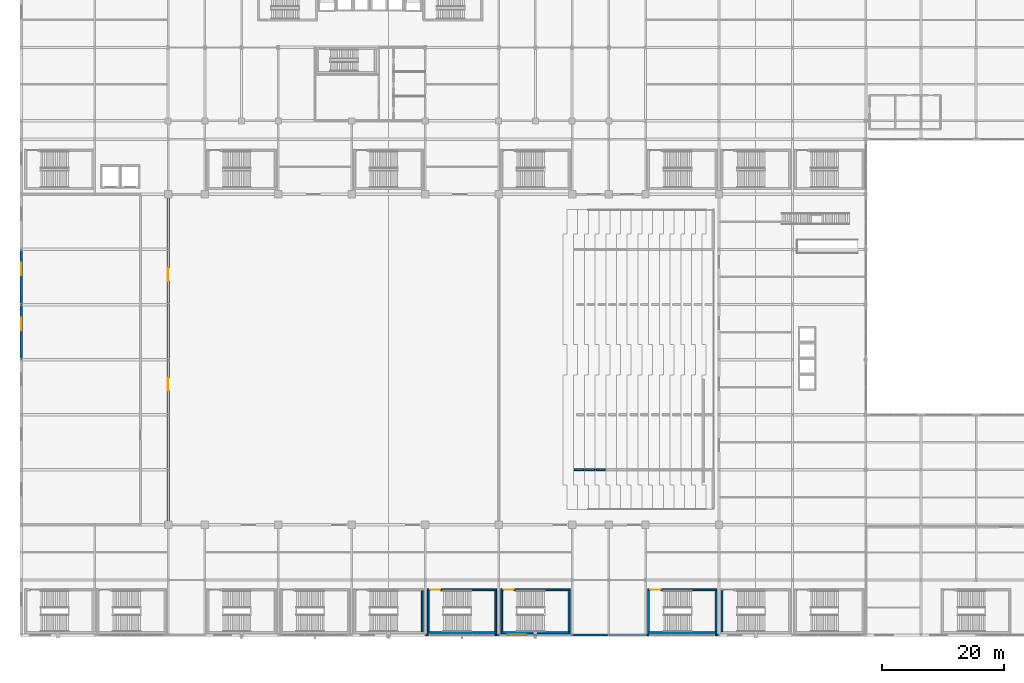
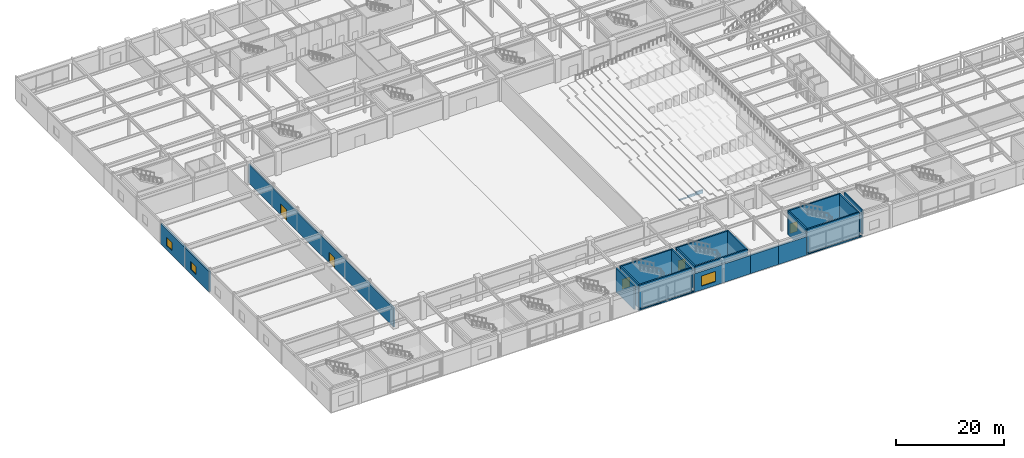
# One storey, part 80 of 100: 25 walls, 5 doors, 3 windows, 8 openings.
"""IFC4 building model written with IfcOpenShell, lengths in metres."""

import ifcopenshell
import ifcopenshell.guid

model = None  # the IFC model being written
_history = None  # IfcOwnerHistory: only IFC2X3 demands one
_inside = {}  # id of a spatial element -> (the spatial element, [elements in it])
_under = {}  # id of a project, library or spatial element -> (it, [spatial elements below it])
_declared = {}  # id of a project -> (the project, [libraries it declares])
_typed = {}  # id of a type object -> (the type object, [elements of that type])
_made_of = {}  # id of a material, layer set ... -> (it, [elements and type objects made of it])


def new_model(schema):
    """Start an empty IFC model of exactly this schema.

    Asked for "IFC4X3", IfcOpenShell would pick the latest addendum, in which some entities
    have other attributes; the version numbers below select the first issue.
    IFC2X3 requires an IfcOwnerHistory on every rooted entity: one is made here for all.
    """
    global model, _history
    if schema == "IFC4X3":
        model = ifcopenshell.file(schema_version=(4, 3, 0, 0))
    else:
        model = ifcopenshell.file(schema=schema)
    _inside.clear()
    _under.clear()
    _declared.clear()
    _typed.clear()
    _made_of.clear()
    _history = None
    if model.schema == "IFC2X3":
        org = make("IfcOrganization", Name="unknown")
        user = make(
            "IfcPersonAndOrganization",
            ThePerson=make("IfcPerson", FamilyName="unknown"),
            TheOrganization=org,
        )
        app = make(
            "IfcApplication",
            ApplicationDeveloper=org,
            Version="unknown",
            ApplicationFullName="unknown",
            ApplicationIdentifier="unknown",
        )
        _history = make(
            "IfcOwnerHistory",
            OwningUser=user,
            OwningApplication=app,
            ChangeAction="ADDED",
            CreationDate=0,
        )
    return model


def make(cls, **values):
    """One entity of the class cls with the attributes given. An attribute that is None is left unset."""
    return model.create_entity(
        cls, **{name: value for name, value in values.items() if value is not None}
    )


def rooted(cls, **values):
    """An entity with a GlobalId (a new one), such as an element, a storey or a relation."""
    return make(cls, GlobalId=ifcopenshell.guid.new(), OwnerHistory=_history, **values)


def si_unit(unit_type, name, prefix=None):
    """IfcSIUnit, for example si_unit("LENGTHUNIT", "METRE", prefix="MILLI")."""
    return make("IfcSIUnit", UnitType=unit_type, Prefix=prefix, Name=name)


def assignment(units):
    """IfcUnitAssignment: the units of a project."""
    return None if units is None else make("IfcUnitAssignment", Units=units)


def point(xyz):
    """IfcCartesianPoint."""
    return None if xyz is None else make("IfcCartesianPoint", Coordinates=xyz)


def direction(xyz):
    """IfcDirection."""
    return None if xyz is None else make("IfcDirection", DirectionRatios=xyz)


def frame(location, z_axis=None, x_axis=None):
    """IfcAxis2Placement3D, a coordinate frame: its origin and axes. An axis left out is left unset."""
    return make(
        "IfcAxis2Placement3D",
        Location=point(location),
        Axis=direction(z_axis),
        RefDirection=direction(x_axis),
    )


def frame_2d(location, x_axis=None):
    """IfcAxis2Placement2D, a coordinate frame in the plane: its origin and x axis."""
    return make(
        "IfcAxis2Placement2D", Location=point(location), RefDirection=direction(x_axis)
    )


def origin():
    """The frame at (0, 0, 0) with its axes left unset."""
    return frame((0.0, 0.0, 0.0))


def place(relative_to, where):
    """IfcLocalPlacement: puts the frame where relative to a parent placement (None: the world)."""
    return make(
        "IfcLocalPlacement", PlacementRelTo=relative_to, RelativePlacement=where
    )


def context(
    kind, dimensions, precision=None, world=None, true_north=None, identifier=None
):
    """IfcGeometricRepresentationContext, for example the 3D "Model" context."""
    return make(
        "IfcGeometricRepresentationContext",
        ContextIdentifier=identifier,
        ContextType=kind,
        CoordinateSpaceDimension=dimensions,
        Precision=precision,
        WorldCoordinateSystem=world,
        TrueNorth=true_north,
    )


def subcontext(parent, identifier, kind, view, scale=None):
    """IfcGeometricRepresentationSubContext, for example "Body" below "Model"."""
    return make(
        "IfcGeometricRepresentationSubContext",
        ContextIdentifier=identifier,
        ContextType=kind,
        ParentContext=parent,
        TargetScale=scale,
        TargetView=view,
    )


def project(units=None, contexts=None):
    """IfcProject with its units and contexts."""
    return rooted(
        "IfcProject",
        Name="project",
        RepresentationContexts=contexts,
        UnitsInContext=assignment(units),
    )


def spatial(cls, under=None, at=None, **own):
    """A site, building, storey or space (cls), placed at a placement, below another one or the project."""
    s = rooted(cls, ObjectPlacement=at, **own)
    if under is not None:
        _under.setdefault(under.id(), (under, []))[1].append(s)
    return s


def profile(cls, at=None, kind="AREA", **sizes):
    """A parametric profile (cls). Its sizes go by their IFC names, for example OverallWidth=200.0."""
    return make(cls, ProfileType=kind, Position=at, **sizes)


def rectangle(**sizes):
    """IfcRectangleProfileDef."""
    return profile("IfcRectangleProfileDef", **sizes)


def extrude(swept, where, along, depth):
    """IfcExtrudedAreaSolid: the profile swept, set in the frame where, extruded along a direction by depth."""
    return make(
        "IfcExtrudedAreaSolid",
        SweptArea=swept,
        Position=where,
        ExtrudedDirection=direction(along),
        Depth=depth,
    )


def shape(context_of_items, identifier, shape_type, items):
    """IfcShapeRepresentation: the items that make up one representation, for example the "Body"."""
    return make(
        "IfcShapeRepresentation",
        ContextOfItems=context_of_items,
        RepresentationIdentifier=identifier,
        RepresentationType=shape_type,
        Items=items,
    )


def material(Name=None, Category=None):
    """IfcMaterial."""
    return make("IfcMaterial", Name=Name, Category=Category)


def layer(
    of_material, thickness, ventilated=None, Name=None, Category=None, Priority=None
):
    """IfcMaterialLayer: one layer of a wall or slab, of a material (None: an air gap)."""
    return make(
        "IfcMaterialLayer",
        Material=of_material,
        LayerThickness=thickness,
        IsVentilated=ventilated,
        Name=Name,
        Category=Category,
        Priority=Priority,
    )


def layer_set(layers, Name=None):
    """IfcMaterialLayerSet."""
    return make("IfcMaterialLayerSet", MaterialLayers=layers, LayerSetName=Name)


def made_of(thing, what):
    """Note that an element or type object is made of a material, layer set ...; save() writes the relation."""
    if what is not None:
        _made_of.setdefault(what.id(), (what, []))[1].append(thing)
    return thing


def type_object(cls, material=None, **own):
    """A type object (cls), such as IfcWallType, which elements share."""
    return made_of(rooted(cls, **own), material)


def element(
    cls,
    number,
    at=None,
    inside=None,
    cuts=None,
    type_object=None,
    material=None,
    context=None,
    identifier="Body",
    shape_type=None,
    held_by="IfcProductDefinitionShape",
    body=None,
    shapes=None,
    **own,
):
    """One element of the class cls, such as IfcWall. Its Tag is "e" and its number.

    at: its placement. inside: the storey or other place that contains it. cuts: it is an
    opening in that element (IfcRelVoidsElement). A single representation is given by context,
    identifier, shape_type and body (its items); several are given by shapes. held_by: the class
    of the entity that holds the representations. save() writes the other relations.
    """
    e = rooted(cls, Tag="e%d" % number, ObjectPlacement=at, **own)
    if body is not None:
        shapes = [shape(context, identifier, shape_type, body)]
    if shapes is not None:
        e.Representation = make(held_by, Representations=shapes)
    if inside is not None:
        _inside.setdefault(inside.id(), (inside, []))[1].append(e)
    if cuts is not None:
        rooted(
            "IfcRelVoidsElement", RelatingBuildingElement=cuts, RelatedOpeningElement=e
        )
    if type_object is not None:
        _typed.setdefault(type_object.id(), (type_object, []))[1].append(e)
    return made_of(e, material)


def fill(opening, filler):
    """IfcRelFillsElement: the door or window that sits in an opening."""
    return rooted(
        "IfcRelFillsElement",
        RelatingOpeningElement=opening,
        RelatedBuildingElement=filler,
    )


def aggregate(whole, parts):
    """IfcRelAggregates: a whole, such as a stair, and the parts it consists of."""
    return rooted("IfcRelAggregates", RelatingObject=whole, RelatedObjects=parts)


def save(model, path):
    """Write the relations noted so far, then the file.

    IfcRelAggregates (storeys below a building ...), IfcRelContainedInSpatialStructure (elements
    in a storey), IfcRelDefinesByType, IfcRelAssociatesMaterial and IfcRelDeclares: one each for
    every whole, place, type object, material and project.
    """
    for whole, parts in _under.values():
        aggregate(whole, parts)
    for where, things in _inside.values():
        rooted(
            "IfcRelContainedInSpatialStructure",
            RelatedElements=things,
            RelatingStructure=where,
        )
    for kind, things in _typed.values():
        rooted("IfcRelDefinesByType", RelatedObjects=things, RelatingType=kind)
    for what, things in _made_of.values():
        rooted("IfcRelAssociatesMaterial", RelatedObjects=things, RelatingMaterial=what)
    for by, libraries in _declared.values():
        rooted("IfcRelDeclares", RelatingContext=by, RelatedDefinitions=libraries)
    model.write(path)


model = new_model("IFC4")

# Units and contexts
model_context = context("Model", 3, precision=1e-05, world=origin(), true_north=direction((0.0, 1.0)))
body_context = subcontext(model_context, "Body", "Model", "MODEL_VIEW")
ifc_project = project(units=[si_unit("LENGTHUNIT", "METRE"), si_unit("AREAUNIT", "SQUARE_METRE"), si_unit("VOLUMEUNIT", "CUBIC_METRE"), si_unit("PLANEANGLEUNIT", "RADIAN"), si_unit("MASSUNIT", "GRAM", prefix="KILO")], contexts=[model_context])

# Site, building, storey
site_placement = place(None, origin())
site = spatial("IfcSite", under=ifc_project, at=site_placement, CompositionType="ELEMENT")
building_placement = place(site_placement, origin())
building = spatial("IfcBuilding", under=site, at=building_placement, Name="Kaldorvane Square Convention Centre", CompositionType="ELEMENT")
storey_placement = place(building_placement, frame((0.0, 0.0, 18.0)))
storey = spatial("IfcBuildingStorey", under=building, at=storey_placement, Name="L03", CompositionType="ELEMENT", Elevation=18.0)

# Wall, openings, doors
ifc_material_1 = material(Name="Reinforced Concrete Masonry Acoustic Partition", Category="masonry")
ifc_layer_1 = layer(ifc_material_1, 0.279998779296875)
ifc_layer_set_1 = layer_set([ifc_layer_1], Name="Reinforced Concrete Masonry Acoustic Partition")
wall_type_1 = type_object("IfcWallType", Name="WL-ACO-280", PredefinedType="PARTITIONING", material=ifc_layer_set_1)
wall_1_placement = place(storey_placement, frame((24.0, 72.0, 0.0), z_axis=(0.0, 0.0, 1.0), x_axis=(0.0, -1.0, 0.0)))
wall_1 = element("IfcWall", 1, at=wall_1_placement, inside=storey, type_object=wall_type_1, Name="Ballroom W Wall", PredefinedType="PARTITIONING", context=body_context, shape_type="SweptSolid", body=[
    extrude(rectangle(XDim=54.0, YDim=0.279998779296875, at=frame_2d((27.0, 0.0))), origin(), (0.0, 0.0, 1.0), 4.3130035400390625),
])
opening_1_placement = place(wall_1_placement, frame((12.0, 0.0, 0.0)))
opening_1 = element("IfcOpeningElement", 2, at=opening_1_placement, cuts=wall_1, Name="Opening ID-02", PredefinedType="OPENING", context=body_context, shape_type="SweptSolid", body=[
    extrude(rectangle(XDim=2.1999969482421875, YDim=2.5, at=frame_2d((1.100006103515625, 1.25))), frame((0.0, 0.154998779296875, 0.0), z_axis=(0.0, -1.0, 0.0), x_axis=(1.0, 0.0, 0.0)), (0.0, 0.0, 1.0), 0.30999755859375),
])
opening_2_placement = place(wall_1_placement, frame((30.0, 0.0, 0.0)))
opening_2 = element("IfcOpeningElement", 3, at=opening_2_placement, cuts=wall_1, Name="Opening ID-03", PredefinedType="OPENING", context=body_context, shape_type="SweptSolid", body=[
    extrude(rectangle(XDim=2.100006103515625, YDim=2.4499969482421875, at=frame_2d((1.0500030517578125, 1.225006103515625))), frame((0.0, 0.154998779296875, 0.0), z_axis=(0.0, -1.0, 0.0), x_axis=(1.0, 0.0, 0.0)), (0.0, 0.0, 1.0), 0.30999755859375),
])
ifc_material_2 = material(Name="Architectural Solid-Core White Oak")
door_type_1 = type_object("IfcDoorType", Name="DR-BALL-2100X2450", OperationType="DOUBLE_DOOR_SINGLE_SWING", PredefinedType="DOOR", material=ifc_material_2)
door_1_placement = place(opening_2_placement, origin())
door_1 = element("IfcDoor", 4, at=door_1_placement, inside=storey, type_object=door_type_1, Name="Ballroom Door 7", OperationType="DOUBLE_DOOR_SINGLE_SWING", OverallHeight=2.4499969482421875, OverallWidth=2.100006103515625, PredefinedType="DOOR", context=body_context, shape_type="SweptSolid", body=[
    extrude(rectangle(XDim=2.100006103515625, YDim=2.4499969482421875, at=frame_2d((1.0500030517578125, 1.225006103515625))), frame((0.0, 0.024993896484375, 0.0), z_axis=(0.0, -1.0, 0.0), x_axis=(1.0, 0.0, 0.0)), (0.0, 0.0, 1.0), 0.0500030517578125),
])
fill(opening_2, door_1)
door_type_2 = type_object("IfcDoorType", Name="DR-BALL-2200X2500", OperationType="DOUBLE_DOOR_SINGLE_SWING", PredefinedType="DOOR", material=ifc_material_2)
door_2_placement = place(opening_1_placement, origin())
door_2 = element("IfcDoor", 5, at=door_2_placement, inside=storey, type_object=door_type_2, Name="Ballroom Door 6", OperationType="DOUBLE_DOOR_SINGLE_SWING", OverallHeight=2.5, OverallWidth=2.1999969482421875, PredefinedType="DOOR", context=body_context, shape_type="SweptSolid", body=[
    extrude(rectangle(XDim=2.1999969482421875, YDim=2.5, at=frame_2d((1.100006103515625, 1.25))), frame((0.0, 0.024993896484375, 0.0), z_axis=(0.0, -1.0, 0.0), x_axis=(1.0, 0.0, 0.0)), (0.0, 0.0, 1.0), 0.0500030517578125),
])
fill(opening_1, door_2)

# Wall, opening, window
ifc_material_3 = material(Name="Concrete f'c = 42 MPa (Normalweight)", Category="concrete")
ifc_layer_2 = layer(ifc_material_3, 0.3800048828125)
ifc_layer_set_2 = layer_set([ifc_layer_2], Name="Concrete f'c = 42 MPa (Normalweight)")
wall_type_2 = type_object("IfcWallType", Name="WL-EXT-380", PredefinedType="STANDARD", material=ifc_layer_set_2)
wall_2_placement = place(storey_placement, frame((78.0, 0.0, 0.0), z_axis=(0.0, 0.0, 1.0), x_axis=(1.0, 0.0, 0.0)))
wall_2 = element("IfcWall", 6, at=wall_2_placement, inside=storey, type_object=wall_type_2, Name="South Square Brutalist Facade Wall (L03)", PredefinedType="STANDARD", context=body_context, shape_type="SweptSolid", body=[
    extrude(rectangle(XDim=12.0, YDim=0.3800048828125, at=frame_2d((6.0, 0.0))), origin(), (0.0, 0.0, 1.0), 4.175994873046875),
])
opening_3_placement = place(wall_2_placement, frame((1.5, 0.0, 0.850006103515625)))
opening_3 = element("IfcOpeningElement", 7, at=opening_3_placement, cuts=wall_2, Name="Opening W-16", PredefinedType="OPENING", context=body_context, shape_type="SweptSolid", body=[
    extrude(rectangle(XDim=3.0, YDim=2.3000030517578125, at=frame_2d((1.5, 1.149993896484375))), frame((0.0, 0.2050018310546875, 0.0), z_axis=(0.0, -1.0, 0.0), x_axis=(1.0, 0.0, 0.0)), (0.0, 0.0, 1.0), 0.410003662109375),
])
ifc_material_4 = material(Name="Anodized Aluminum and Low-E Insulated Glazing", Category="aluminium")
window_type_1 = type_object("IfcWindowType", Name="WN-POD-3000X2300", PartitioningType="TRIPLE_PANEL_VERTICAL", PredefinedType="WINDOW", material=ifc_material_4)
window_1_placement = place(opening_3_placement, origin())
window_1 = element("IfcWindow", 8, at=window_1_placement, inside=storey, type_object=window_type_1, Name="South Facade Window (L03)", OverallHeight=2.3000030517578125, OverallWidth=3.0, PartitioningType="TRIPLE_PANEL_VERTICAL", PredefinedType="WINDOW", context=body_context, shape_type="SweptSolid", body=[
    extrude(rectangle(XDim=3.0, YDim=2.3000030517578125, at=frame_2d((1.5, 1.149993896484375))), frame((0.0, 0.029998779296875, 0.0), z_axis=(0.0, -1.0, 0.0), x_axis=(1.0, 0.0, 0.0)), (0.0, 0.0, 1.0), 0.05999755859375),
])
fill(opening_3, window_1)

# Walls
for number, where, z_axis, x_axis, name in (
    (9, (90.0, 0.0, 0.0), (0.0, 0.0, 1.0), (1.0, 0.0, 0.0), "South Square Brutalist Facade Wall (L03)"),
    (10, (96.0, 0.0, 0.0), (0.0, 0.0, 1.0), (1.0, 0.0, 0.0), "South Square Brutalist Facade Wall (L03)"),
):
    element("IfcWall", number, at=place(storey_placement, frame(where, z_axis=z_axis, x_axis=x_axis)), inside=storey, type_object=wall_type_2, Name=name, PredefinedType="STANDARD", context=body_context, shape_type="SweptSolid", body=[
        extrude(rectangle(XDim=6.0, YDim=0.3800048828125, at=frame_2d((3.0, 0.0))), origin(), (0.0, 0.0, 1.0), 4.175994873046875),
    ])

# Wall, opening, window
wall_3_placement = place(storey_placement, frame((0.0, 54.0, 0.0), z_axis=(0.0, 0.0, 1.0), x_axis=(0.0, -1.0, 0.0)))
wall_3 = element("IfcWall", 11, at=wall_3_placement, inside=storey, type_object=wall_type_2, Name="West Brutalist Facade Wall (L03)", PredefinedType="STANDARD", context=body_context, shape_type="SweptSolid", body=[
    extrude(rectangle(XDim=9.0, YDim=0.3800048828125, at=frame_2d((4.5, 0.0))), origin(), (0.0, 0.0, 1.0), 4.66900634765625),
])
opening_4_placement = place(wall_3_placement, frame((2.1999969482421875, 0.0, 1.0)))
opening_4 = element("IfcOpeningElement", 12, at=opening_4_placement, cuts=wall_3, Name="Opening W-21", PredefinedType="OPENING", context=body_context, shape_type="SweptSolid", body=[
    extrude(rectangle(XDim=2.0, YDim=1.850006103515625, at=frame_2d((1.0, 0.9250030517578125))), frame((0.0, 0.2050018310546875, 0.0), z_axis=(0.0, -1.0, 0.0), x_axis=(1.0, 0.0, 0.0)), (0.0, 0.0, 1.0), 0.410003662109375),
])
window_type_2 = type_object("IfcWindowType", Name="WN-POD-2000X1850", PartitioningType="DOUBLE_PANEL_VERTICAL", PredefinedType="WINDOW", material=ifc_material_4)
window_2_placement = place(opening_4_placement, origin())
window_2 = element("IfcWindow", 13, at=window_2_placement, inside=storey, type_object=window_type_2, Name="West Facade Window (L03)", OverallHeight=1.850006103515625, OverallWidth=2.0, PartitioningType="DOUBLE_PANEL_VERTICAL", PredefinedType="WINDOW", context=body_context, shape_type="SweptSolid", body=[
    extrude(rectangle(XDim=2.0, YDim=1.850006103515625, at=frame_2d((1.0, 0.9250030517578125))), frame((0.0, 0.029998779296875, 0.0), z_axis=(0.0, -1.0, 0.0), x_axis=(1.0, 0.0, 0.0)), (0.0, 0.0, 1.0), 0.05999755859375),
])
fill(opening_4, window_2)

wall_4_placement = place(storey_placement, frame((0.0, 63.0, 0.0), z_axis=(0.0, 0.0, 1.0), x_axis=(0.0, -1.0, 0.0)))
wall_4 = element("IfcWall", 14, at=wall_4_placement, inside=storey, type_object=wall_type_2, Name="West Brutalist Facade Wall (L03)", PredefinedType="STANDARD", context=body_context, shape_type="SweptSolid", body=[
    extrude(rectangle(XDim=9.0, YDim=0.3800048828125, at=frame_2d((4.5, 0.0))), origin(), (0.0, 0.0, 1.0), 4.66900634765625),
])
opening_5_placement = place(wall_4_placement, frame((2.1999969482421875, 0.0, 1.0)))
opening_5 = element("IfcOpeningElement", 15, at=opening_5_placement, cuts=wall_4, Name="Opening W-21", PredefinedType="OPENING", context=body_context, shape_type="SweptSolid", body=[
    extrude(rectangle(XDim=2.0, YDim=1.850006103515625, at=frame_2d((1.0, 0.9250030517578125))), frame((0.0, 0.2050018310546875, 0.0), z_axis=(0.0, -1.0, 0.0), x_axis=(1.0, 0.0, 0.0)), (0.0, 0.0, 1.0), 0.410003662109375),
])
window_3_placement = place(opening_5_placement, origin())
window_3 = element("IfcWindow", 16, at=window_3_placement, inside=storey, type_object=window_type_2, Name="West Facade Window (L03)", OverallHeight=1.850006103515625, OverallWidth=2.0, PartitioningType="DOUBLE_PANEL_VERTICAL", PredefinedType="WINDOW", context=body_context, shape_type="SweptSolid", body=[
    extrude(rectangle(XDim=2.0, YDim=1.850006103515625, at=frame_2d((1.0, 0.9250030517578125))), frame((0.0, 0.029998779296875, 0.0), z_axis=(0.0, -1.0, 0.0), x_axis=(1.0, 0.0, 0.0)), (0.0, 0.0, 1.0), 0.05999755859375),
])
fill(opening_5, window_3)

# Walls
ifc_material_5 = material(Name="Concrete f'c = 35 MPa (Normalweight)", Category="concrete")
ifc_layer_3 = layer(ifc_material_5, 0.279998779296875)
ifc_layer_set_3 = layer_set([ifc_layer_3], Name="Concrete f'c = 35 MPa (Normalweight)")
wall_type_3 = type_object("IfcWallType", Name="WL-PAR-280", PredefinedType="PARAPET", material=ifc_layer_set_3)
for number, where, z_axis, x_axis, name in (
    (17, (66.0, 0.0, 0.0), (0.0, 0.0, 1.0), (1.0, 0.0, 0.0), "Curtain-Wall Sill Kerb (L03)"),
    (18, (102.0, 0.0, 0.0), (0.0, 0.0, 1.0), (1.0, 0.0, 0.0), "Curtain-Wall Sill Kerb (L03)"),
):
    element("IfcWall", number, at=place(storey_placement, frame(where, z_axis=z_axis, x_axis=x_axis)), inside=storey, type_object=wall_type_3, Name=name, PredefinedType="PARAPET", context=body_context, shape_type="SweptSolid", body=[
        extrude(rectangle(XDim=12.0, YDim=0.279998779296875, at=frame_2d((6.0, 0.0))), origin(), (0.0, 0.0, 1.0), 0.1999969482421875),
    ])
ifc_material_6 = material(Name="Concrete f'c = 55 MPa (Normalweight)", Category="concrete")
ifc_layer_4 = layer(ifc_material_6, 0.3000030517578125)
ifc_layer_set_4 = layer_set([ifc_layer_4], Name="Concrete f'c = 55 MPa (Normalweight)")
wall_type_4 = type_object("IfcWallType", Name="WL-SHAFT-300", PredefinedType="SHEAR", material=ifc_layer_set_4)
wall_5_placement = place(storey_placement, frame((90.33000183105469, 27.0, 0.0), z_axis=(0.0, 0.0, 1.0), x_axis=(1.0, 0.0, 0.0)))
element("IfcWall", 19, at=wall_5_placement, inside=storey, type_object=wall_type_4, Name="Plenary Tier 02 Stringer Wall 1", PredefinedType="SHEAR", context=body_context, shape_type="SweptSolid", body=[
    extrude(rectangle(XDim=1.589996337890625, YDim=0.3000030517578125, at=frame_2d((0.7949981689453125, 0.0))), origin(), (0.0, 0.0, 1.0), 0.2400054931640625),
])
wall_6_placement = place(storey_placement, frame((92.08000183105469, 27.0, 0.0), z_axis=(0.0, 0.0, 1.0), x_axis=(1.0, 0.0, 0.0)))
element("IfcWall", 20, at=wall_6_placement, inside=storey, type_object=wall_type_4, Name="Plenary Tier 03 Stringer Wall 1", PredefinedType="SHEAR", context=body_context, shape_type="SweptSolid", body=[
    extrude(rectangle(XDim=1.589996337890625, YDim=0.3000030517578125, at=frame_2d((0.7949981689453125, 0.0))), origin(), (0.0, 0.0, 1.0), 0.4799957275390625),
])
wall_7_placement = place(storey_placement, frame((93.83000183105469, 27.0, 0.0), z_axis=(0.0, 0.0, 1.0), x_axis=(1.0, 0.0, 0.0)))
element("IfcWall", 21, at=wall_7_placement, inside=storey, type_object=wall_type_4, Name="Plenary Tier 04 Stringer Wall 1", PredefinedType="SHEAR", context=body_context, shape_type="SweptSolid", body=[
    extrude(rectangle(XDim=1.589996337890625, YDim=0.3000030517578125, at=frame_2d((0.7949981689453125, 0.0))), origin(), (0.0, 0.0, 1.0), 0.720001220703125),
])
wall_8_placement = place(storey_placement, frame((65.50999450683594, 0.5500030517578125, 0.0), z_axis=(0.0, 0.0, 1.0), x_axis=(0.0, 1.0, 0.0)))
element("IfcWall", 22, at=wall_8_placement, inside=storey, type_object=wall_type_4, Name="Core Enclosure Wall stair:ST-C5-E (L03)", PredefinedType="SHEAR", context=body_context, shape_type="SweptSolid", body=[
    extrude(rectangle(XDim=6.709991455078125, YDim=0.3000030517578125, at=frame_2d((3.3549957275390625, 0.0))), origin(), (0.0, 0.0, 1.0), 5.399993896484375),
])
wall_9_placement = place(storey_placement, frame((77.66000366210938, 0.399993896484375, 0.0), z_axis=(0.0, 0.0, 1.0), x_axis=(-1.0, 0.0, 0.0)))
element("IfcWall", 23, at=wall_9_placement, inside=storey, type_object=wall_type_4, Name="Core Enclosure Wall stair:ST-C6-S (L03)", PredefinedType="SHEAR", context=body_context, shape_type="SweptSolid", body=[
    extrude(rectangle(XDim=11.32000732421875, YDim=0.3000030517578125, at=frame_2d((5.660003662109375, 0.0))), origin(), (0.0, 0.0, 1.0), 5.399993896484375),
])

# Wall, opening, door
wall_10_placement = place(storey_placement, frame((77.66000366210938, 7.410003662109375, 0.0), z_axis=(0.0, 0.0, 1.0), x_axis=(-1.0, 0.0, 0.0)))
wall_10 = element("IfcWall", 24, at=wall_10_placement, inside=storey, type_object=wall_type_4, Name="Core Enclosure Wall stair:ST-C6-N (L03)", PredefinedType="SHEAR", context=body_context, shape_type="SweptSolid", body=[
    extrude(rectangle(XDim=11.32000732421875, YDim=0.3000030517578125, at=frame_2d((5.660003662109375, 0.0))), origin(), (0.0, 0.0, 1.0), 5.399993896484375),
])
opening_6_placement = place(wall_10_placement, frame((9.220001220703125, 0.0, 0.0)))
opening_6 = element("IfcOpeningElement", 25, at=opening_6_placement, cuts=wall_10, Name="Opening FD90-S2", PredefinedType="OPENING", context=body_context, shape_type="SweptSolid", body=[
    extrude(rectangle(XDim=1.649993896484375, YDim=2.25, at=frame_2d((0.8249969482421875, 1.125))), frame((0.0, 0.165008544921875, 0.0), z_axis=(0.0, -1.0, 0.0), x_axis=(1.0, 0.0, 0.0)), (0.0, 0.0, 1.0), 0.3300018310546875),
])
ifc_material_7 = material(Name="Fire-Rated Hollow Metal Steel", Category="steel")
door_type_3 = type_object("IfcDoorType", Name="DR-STAIR-1650", OperationType="DOUBLE_DOOR_SINGLE_SWING", PredefinedType="DOOR", material=ifc_material_7)
door_3_placement = place(opening_6_placement, origin())
door_3 = element("IfcDoor", 26, at=door_3_placement, inside=storey, type_object=door_type_3, Name="Convention Exit Stair C6 Fire Door (L03)", OperationType="DOUBLE_DOOR_SINGLE_SWING", OverallHeight=2.25, OverallWidth=1.649993896484375, PredefinedType="DOOR", context=body_context, shape_type="SweptSolid", body=[
    extrude(rectangle(XDim=1.649993896484375, YDim=2.25, at=frame_2d((0.8249969482421875, 1.125))), frame((0.0, 0.024993896484375, 0.0), z_axis=(0.0, -1.0, 0.0), x_axis=(1.0, 0.0, 0.0)), (0.0, 0.0, 1.0), 0.0500030517578125),
])
fill(opening_6, door_3)

# Walls
for number, where, z_axis, x_axis, name in (
    (27, (66.49000549316406, 7.2599945068359375, 0.0), (0.0, 0.0, 1.0), (0.0, -1.0, 0.0), "Core Enclosure Wall stair:ST-C6-W (L03)"),
    (28, (77.50999450683594, 0.5500030517578125, 0.0), (0.0, 0.0, 1.0), (0.0, 1.0, 0.0), "Core Enclosure Wall stair:ST-C6-E (L03)"),
):
    element("IfcWall", number, at=place(storey_placement, frame(where, z_axis=z_axis, x_axis=x_axis)), inside=storey, type_object=wall_type_4, Name=name, PredefinedType="SHEAR", context=body_context, shape_type="SweptSolid", body=[
        extrude(rectangle(XDim=6.709991455078125, YDim=0.3000030517578125, at=frame_2d((3.3549957275390625, 0.0))), origin(), (0.0, 0.0, 1.0), 5.399993896484375),
    ])
wall_11_placement = place(storey_placement, frame((89.66000366210938, 0.399993896484375, 0.0), z_axis=(0.0, 0.0, 1.0), x_axis=(-1.0, 0.0, 0.0)))
element("IfcWall", 29, at=wall_11_placement, inside=storey, type_object=wall_type_4, Name="Core Enclosure Wall stair:ST-C7-S (L03)", PredefinedType="SHEAR", context=body_context, shape_type="SweptSolid", body=[
    extrude(rectangle(XDim=11.32000732421875, YDim=0.3000030517578125, at=frame_2d((5.660003662109375, 0.0))), origin(), (0.0, 0.0, 1.0), 5.399993896484375),
])

# Wall, opening, door
wall_12_placement = place(storey_placement, frame((89.66000366210938, 7.410003662109375, 0.0), z_axis=(0.0, 0.0, 1.0), x_axis=(-1.0, 0.0, 0.0)))
wall_12 = element("IfcWall", 30, at=wall_12_placement, inside=storey, type_object=wall_type_4, Name="Core Enclosure Wall stair:ST-C7-N (L03)", PredefinedType="SHEAR", context=body_context, shape_type="SweptSolid", body=[
    extrude(rectangle(XDim=11.32000732421875, YDim=0.3000030517578125, at=frame_2d((5.660003662109375, 0.0))), origin(), (0.0, 0.0, 1.0), 5.399993896484375),
])
opening_7_placement = place(wall_12_placement, frame((9.220001220703125, 0.0, 0.0)))
opening_7 = element("IfcOpeningElement", 31, at=opening_7_placement, cuts=wall_12, Name="Opening FD90-S2", PredefinedType="OPENING", context=body_context, shape_type="SweptSolid", body=[
    extrude(rectangle(XDim=1.649993896484375, YDim=2.25, at=frame_2d((0.8249969482421875, 1.125))), frame((0.0, 0.165008544921875, 0.0), z_axis=(0.0, -1.0, 0.0), x_axis=(1.0, 0.0, 0.0)), (0.0, 0.0, 1.0), 0.3300018310546875),
])
door_4_placement = place(opening_7_placement, origin())
door_4 = element("IfcDoor", 32, at=door_4_placement, inside=storey, type_object=door_type_3, Name="Convention Exit Stair C7 Fire Door (L03)", OperationType="DOUBLE_DOOR_SINGLE_SWING", OverallHeight=2.25, OverallWidth=1.649993896484375, PredefinedType="DOOR", context=body_context, shape_type="SweptSolid", body=[
    extrude(rectangle(XDim=1.649993896484375, YDim=2.25, at=frame_2d((0.8249969482421875, 1.125))), frame((0.0, 0.024993896484375, 0.0), z_axis=(0.0, -1.0, 0.0), x_axis=(1.0, 0.0, 0.0)), (0.0, 0.0, 1.0), 0.0500030517578125),
])
fill(opening_7, door_4)

# Walls
for number, where, z_axis, x_axis, name in (
    (33, (78.49000549316406, 7.2599945068359375, 0.0), (0.0, 0.0, 1.0), (0.0, -1.0, 0.0), "Core Enclosure Wall stair:ST-C7-W (L03)"),
    (34, (89.50999450683594, 0.5500030517578125, 0.0), (0.0, 0.0, 1.0), (0.0, 1.0, 0.0), "Core Enclosure Wall stair:ST-C7-E (L03)"),
):
    element("IfcWall", number, at=place(storey_placement, frame(where, z_axis=z_axis, x_axis=x_axis)), inside=storey, type_object=wall_type_4, Name=name, PredefinedType="SHEAR", context=body_context, shape_type="SweptSolid", body=[
        extrude(rectangle(XDim=6.709991455078125, YDim=0.3000030517578125, at=frame_2d((3.3549957275390625, 0.0))), origin(), (0.0, 0.0, 1.0), 5.399993896484375),
    ])
wall_13_placement = place(storey_placement, frame((113.66000366210938, 0.399993896484375, 0.0), z_axis=(0.0, 0.0, 1.0), x_axis=(-1.0, 0.0, 0.0)))
element("IfcWall", 35, at=wall_13_placement, inside=storey, type_object=wall_type_4, Name="Core Enclosure Wall stair:ST-C8-S (L03)", PredefinedType="SHEAR", context=body_context, shape_type="SweptSolid", body=[
    extrude(rectangle(XDim=11.32000732421875, YDim=0.3000030517578125, at=frame_2d((5.660003662109375, 0.0))), origin(), (0.0, 0.0, 1.0), 5.399993896484375),
])

# Wall, opening, door
wall_14_placement = place(storey_placement, frame((113.66000366210938, 7.410003662109375, 0.0), z_axis=(0.0, 0.0, 1.0), x_axis=(-1.0, 0.0, 0.0)))
wall_14 = element("IfcWall", 36, at=wall_14_placement, inside=storey, type_object=wall_type_4, Name="Core Enclosure Wall stair:ST-C8-N (L03)", PredefinedType="SHEAR", context=body_context, shape_type="SweptSolid", body=[
    extrude(rectangle(XDim=11.32000732421875, YDim=0.3000030517578125, at=frame_2d((5.660003662109375, 0.0))), origin(), (0.0, 0.0, 1.0), 5.399993896484375),
])
opening_8_placement = place(wall_14_placement, frame((9.220001220703125, 0.0, 0.0)))
opening_8 = element("IfcOpeningElement", 37, at=opening_8_placement, cuts=wall_14, Name="Opening FD90-S2", PredefinedType="OPENING", context=body_context, shape_type="SweptSolid", body=[
    extrude(rectangle(XDim=1.649993896484375, YDim=2.25, at=frame_2d((0.8249969482421875, 1.125))), frame((0.0, 0.165008544921875, 0.0), z_axis=(0.0, -1.0, 0.0), x_axis=(1.0, 0.0, 0.0)), (0.0, 0.0, 1.0), 0.3300018310546875),
])
door_5_placement = place(opening_8_placement, origin())
door_5 = element("IfcDoor", 38, at=door_5_placement, inside=storey, type_object=door_type_3, Name="Convention Exit Stair C8 Fire Door (L03)", OperationType="DOUBLE_DOOR_SINGLE_SWING", OverallHeight=2.25, OverallWidth=1.649993896484375, PredefinedType="DOOR", context=body_context, shape_type="SweptSolid", body=[
    extrude(rectangle(XDim=1.649993896484375, YDim=2.25, at=frame_2d((0.8249969482421875, 1.125))), frame((0.0, 0.024993896484375, 0.0), z_axis=(0.0, -1.0, 0.0), x_axis=(1.0, 0.0, 0.0)), (0.0, 0.0, 1.0), 0.0500030517578125),
])
fill(opening_8, door_5)

# Walls
for number, where, z_axis, x_axis, name in (
    (39, (102.49000549316406, 7.2599945068359375, 0.0), (0.0, 0.0, 1.0), (0.0, -1.0, 0.0), "Core Enclosure Wall stair:ST-C8-W (L03)"),
    (40, (113.50999450683594, 0.5500030517578125, 0.0), (0.0, 0.0, 1.0), (0.0, 1.0, 0.0), "Core Enclosure Wall stair:ST-C8-E (L03)"),
    (41, (114.49000549316406, 7.2599945068359375, 0.0), (0.0, 0.0, 1.0), (0.0, -1.0, 0.0), "Core Enclosure Wall stair:ST-C9-W (L03)"),
):
    element("IfcWall", number, at=place(storey_placement, frame(where, z_axis=z_axis, x_axis=x_axis)), inside=storey, type_object=wall_type_4, Name=name, PredefinedType="SHEAR", context=body_context, shape_type="SweptSolid", body=[
        extrude(rectangle(XDim=6.709991455078125, YDim=0.3000030517578125, at=frame_2d((3.3549957275390625, 0.0))), origin(), (0.0, 0.0, 1.0), 5.399993896484375),
    ])

save(model, "model.ifc")
